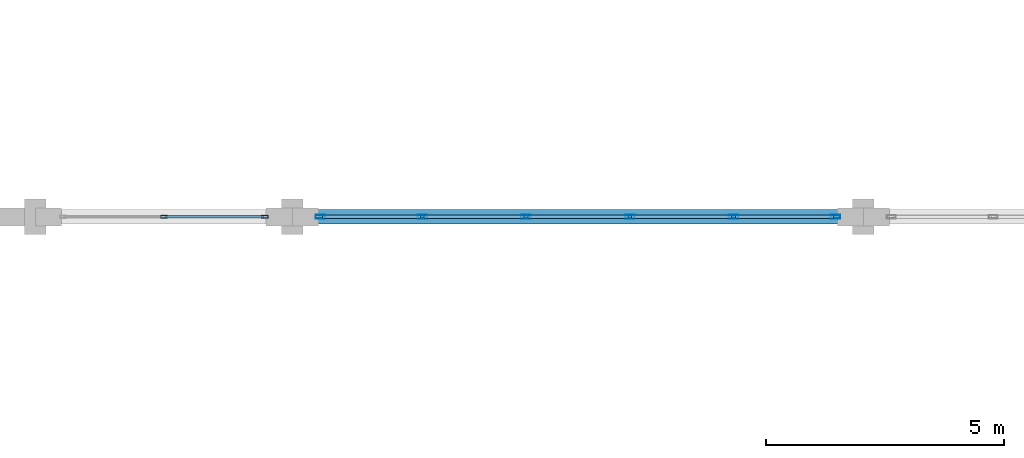
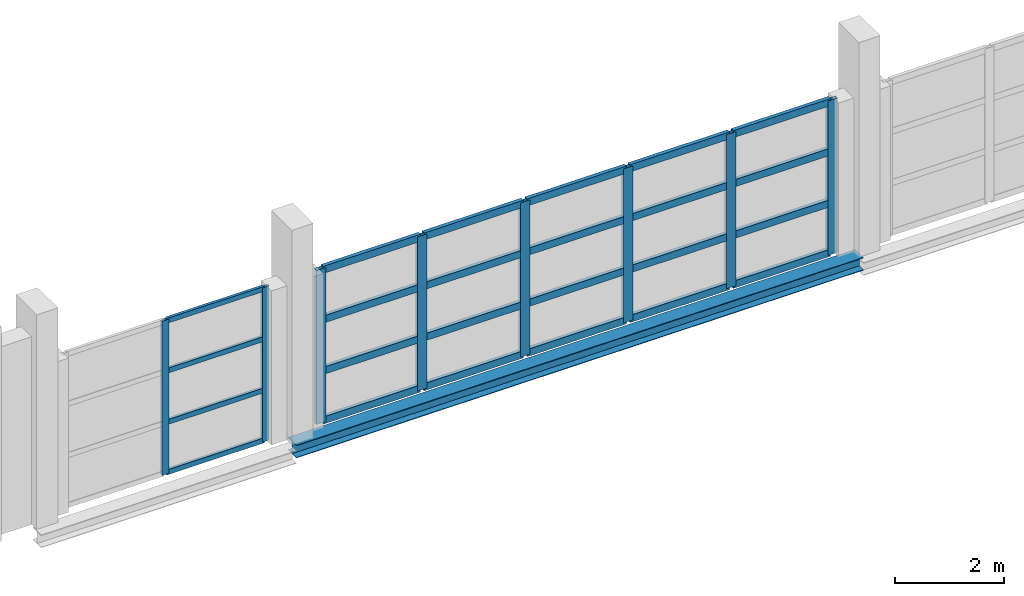
# One storey, part 28 of 86: 32 members, 1 beam, 2 elements without a shape of their own.
"""IFC4 building model written with IfcOpenShell, lengths in metres."""

from ifc_helpers import new_model, si_unit, direction, frame, origin, origin_2d, place, context, subcontext, project, spatial, hollow_rectangle, i_section, extrude, material, layer, layer_set, material_profile, profile_set, type_object, element, aggregate, save


model = new_model("IFC4")

# Units and contexts
model_context = context("Model", 3, precision=1e-05, world=origin(), true_north=direction((0.0, 1.0)))
body_context = subcontext(model_context, "Body", "Model", "MODEL_VIEW")
ifc_project = project(units=[si_unit("LENGTHUNIT", "METRE"), si_unit("AREAUNIT", "SQUARE_METRE"), si_unit("VOLUMEUNIT", "CUBIC_METRE"), si_unit("PLANEANGLEUNIT", "RADIAN"), si_unit("MASSUNIT", "GRAM", prefix="KILO")], contexts=[model_context])

# Site, building, storey
site_placement = place(None, origin())
site = spatial("IfcSite", under=ifc_project, at=site_placement, CompositionType="ELEMENT")
building_placement = place(site_placement, origin())
building = spatial("IfcBuilding", under=site, at=building_placement, Name="Zilviju Railside Exhibition Hall", CompositionType="ELEMENT")
storey_placement = place(building_placement, frame((0.0, 0.0, 12.60009765625)))
storey = spatial("IfcBuildingStorey", under=building, at=storey_placement, Name="L04", CompositionType="ELEMENT", Elevation=12.60009765625)

# Beam
ifc_material_1 = material(Name="Steel S355J2", Category="steel")
ifc_material_profile_1 = material_profile(ifc_material_1, i_section(OverallWidth=0.300048828125, OverallDepth=0.2900390625, WebThickness=0.008544921875, FlangeThickness=0.013916015625, at=origin_2d()), Name="HEA 300")
ifc_profile_set_1 = profile_set([ifc_material_profile_1], Name="Steel S355J2")
beam_type = type_object("IfcBeamType", Name="BM-HEA300", PredefinedType="SPANDREL", material=ifc_profile_set_1)
beam_placement = place(storey_placement, frame((132.0, 84.0, -0.364990234375), z_axis=(1.0, 0.0, 0.0), x_axis=(0.0, 1.0, 0.0)))
element("IfcBeam", 1, at=beam_placement, inside=storey, type_object=beam_type, Name="Primary Girder L04 Y=84.0 (132.0..144.0)", PredefinedType="SPANDREL", context=body_context, shape_type="SweptSolid", body=[
    extrude(i_section(OverallWidth=0.300048828125, OverallDepth=0.2900390625, WebThickness=0.008544921875, FlangeThickness=0.013916015625, at=origin_2d()), origin(), (0.0, 0.0, 1.0), 12.0),
])

# Curtain wall, members
ifc_material_2 = material(Name="Thermally broken aluminium-steel triple-glazed curtain wall", Category="steel")
ifc_layer_1 = layer(ifc_material_2, 0.179931640625)
ifc_layer_set_1 = layer_set([ifc_layer_1], Name="Thermally broken aluminium-steel triple-glazed curtain wall")
curtain_wall_type_1 = type_object("IfcCurtainWallType", Name="CW-BAY-13", PredefinedType="USERDEFINED", material=ifc_layer_set_1)
curtain_wall_1_placement = place(storey_placement, origin())
curtain_wall_1 = element("IfcCurtainWall", 2, at=curtain_wall_1_placement, inside=storey, type_object=curtain_wall_type_1, Name="North Hall Garden Court Curtain Wall L04 (127..132)", ObjectType="GLAZED CURTAIN WALL", PredefinedType="USERDEFINED")
ifc_material_3 = material(Name="Thermally broken anodized aluminium mullion", Category="aluminium")
ifc_material_profile_2 = material_profile(ifc_material_3, hollow_rectangle(XDim=0.06005859375, YDim=0.139892578125, WallThickness=0.0048828125, at=origin_2d()), Name="MULLION 140x60x5")
ifc_profile_set_2 = profile_set([ifc_material_profile_2], Name="Thermally broken anodized aluminium mullion")
member_type_1 = type_object("IfcMemberType", Name="CWM-60x140", PredefinedType="MULLION", material=ifc_profile_set_2)
member_1_placement = place(storey_placement, frame((131.419921875, 84.0, 0.0), z_axis=(0.0, 0.0, 1.0), x_axis=(0.0, -1.0, 0.0)))
member_1 = element("IfcMember", 3, at=member_1_placement, type_object=member_type_1, Name="CW-13 mullion 1", PredefinedType="MULLION", context=body_context, shape_type="SweptSolid", body=[
    extrude(hollow_rectangle(XDim=0.06005859375, YDim=0.139892578125, WallThickness=0.0048828125, at=origin_2d()), origin(), (0.0, 0.0, 1.0), 3.449951171875),
])
member_2_placement = place(storey_placement, frame((129.300048828125, 84.0, 0.0), z_axis=(0.0, 0.0, 1.0), x_axis=(0.0, -1.0, 0.0)))
member_2 = element("IfcMember", 4, at=member_2_placement, type_object=member_type_1, Name="CW-13 mullion 2", PredefinedType="MULLION", context=body_context, shape_type="SweptSolid", body=[
    extrude(hollow_rectangle(XDim=0.06005859375, YDim=0.139892578125, WallThickness=0.0048828125, at=origin_2d()), origin(), (0.0, 0.0, 1.0), 3.449951171875),
])

ifc_layer_2 = layer(ifc_material_2, 0.179931640625)
ifc_layer_set_2 = layer_set([ifc_layer_2], Name="Thermally broken aluminium-steel triple-glazed curtain wall")
curtain_wall_type_2 = type_object("IfcCurtainWallType", Name="CW-BAY-14", PredefinedType="USERDEFINED", material=ifc_layer_set_2)
curtain_wall_2_placement = place(storey_placement, origin())
curtain_wall_2 = element("IfcCurtainWall", 5, at=curtain_wall_2_placement, inside=storey, type_object=curtain_wall_type_2, Name="North Hall Garden Court Curtain Wall L04 (132..144)", ObjectType="GLAZED CURTAIN WALL", PredefinedType="USERDEFINED")
ifc_material_profile_3 = material_profile(ifc_material_3, hollow_rectangle(XDim=0.080078125, YDim=0.199951171875, WallThickness=0.0048828125, at=origin_2d()), Name="MULLION 200x80x5")
ifc_profile_set_3 = profile_set([ifc_material_profile_3], Name="Thermally broken anodized aluminium mullion")
member_type_2 = type_object("IfcMemberType", Name="CWM-80x200", PredefinedType="MULLION", material=ifc_profile_set_3)
member_3_placement = place(storey_placement, frame((143.409912109375, 84.0, 0.0), z_axis=(0.0, 0.0, 1.0), x_axis=(0.0, -1.0, 0.0)))
member_3 = element("IfcMember", 6, at=member_3_placement, type_object=member_type_2, Name="CW-14 mullion 1", PredefinedType="MULLION", context=body_context, shape_type="SweptSolid", body=[
    extrude(hollow_rectangle(XDim=0.080078125, YDim=0.199951171875, WallThickness=0.0048828125, at=origin_2d()), origin(), (0.0, 0.0, 1.0), 3.449951171875),
])
member_4_placement = place(storey_placement, frame((141.27001953125, 84.0, 0.0), z_axis=(0.0, 0.0, 1.0), x_axis=(0.0, -1.0, 0.0)))
member_4 = element("IfcMember", 7, at=member_4_placement, type_object=member_type_2, Name="CW-14 mullion 2", PredefinedType="MULLION", context=body_context, shape_type="SweptSolid", body=[
    extrude(hollow_rectangle(XDim=0.080078125, YDim=0.199951171875, WallThickness=0.0048828125, at=origin_2d()), origin(), (0.0, 0.0, 1.0), 3.449951171875),
])
member_5_placement = place(storey_placement, frame((139.090087890625, 84.0, 0.0), z_axis=(0.0, 0.0, 1.0), x_axis=(0.0, -1.0, 0.0)))
member_5 = element("IfcMember", 8, at=member_5_placement, type_object=member_type_2, Name="CW-14 mullion 3", PredefinedType="MULLION", context=body_context, shape_type="SweptSolid", body=[
    extrude(hollow_rectangle(XDim=0.080078125, YDim=0.199951171875, WallThickness=0.0048828125, at=origin_2d()), origin(), (0.0, 0.0, 1.0), 3.449951171875),
])
member_6_placement = place(storey_placement, frame((136.909912109375, 84.0, 0.0), z_axis=(0.0, 0.0, 1.0), x_axis=(0.0, -1.0, 0.0)))
member_6 = element("IfcMember", 9, at=member_6_placement, type_object=member_type_2, Name="CW-14 mullion 4", PredefinedType="MULLION", context=body_context, shape_type="SweptSolid", body=[
    extrude(hollow_rectangle(XDim=0.080078125, YDim=0.199951171875, WallThickness=0.0048828125, at=origin_2d()), origin(), (0.0, 0.0, 1.0), 3.449951171875),
])
member_7_placement = place(storey_placement, frame((134.72998046875, 84.0, 0.0), z_axis=(0.0, 0.0, 1.0), x_axis=(0.0, -1.0, 0.0)))
member_7 = element("IfcMember", 10, at=member_7_placement, type_object=member_type_2, Name="CW-14 mullion 5", PredefinedType="MULLION", context=body_context, shape_type="SweptSolid", body=[
    extrude(hollow_rectangle(XDim=0.080078125, YDim=0.199951171875, WallThickness=0.0048828125, at=origin_2d()), origin(), (0.0, 0.0, 1.0), 3.449951171875),
])
member_8_placement = place(storey_placement, frame((132.590087890625, 84.0, 0.0), z_axis=(0.0, 0.0, 1.0), x_axis=(0.0, -1.0, 0.0)))
member_8 = element("IfcMember", 11, at=member_8_placement, type_object=member_type_2, Name="CW-14 mullion 6", PredefinedType="MULLION", context=body_context, shape_type="SweptSolid", body=[
    extrude(hollow_rectangle(XDim=0.080078125, YDim=0.199951171875, WallThickness=0.0048828125, at=origin_2d()), origin(), (0.0, 0.0, 1.0), 3.449951171875),
])

# Member
ifc_material_4 = material(Name="Thermally broken anodized aluminium transom", Category="aluminium")
ifc_material_profile_4 = material_profile(ifc_material_4, hollow_rectangle(XDim=0.06005859375, YDim=0.110107421875, WallThickness=0.0048828125, at=origin_2d()), Name="TRANSOM 110x60x5")
ifc_profile_set_4 = profile_set([ifc_material_profile_4], Name="Thermally broken anodized aluminium transom")
member_type_3 = type_object("IfcMemberType", Name="CWT-60x110", PredefinedType="USERDEFINED", material=ifc_profile_set_4)
member_9_placement = place(storey_placement, frame((131.389892578125, 84.0, 0.02978515625), z_axis=(-1.0, 0.0, 0.0), x_axis=(0.0, -1.0, 0.0)))
member_9 = element("IfcMember", 12, at=member_9_placement, type_object=member_type_3, Name="CW-13 transom 1.1", ObjectType="TRANSOM", PredefinedType="USERDEFINED", context=body_context, shape_type="SweptSolid", body=[
    extrude(hollow_rectangle(XDim=0.06005859375, YDim=0.110107421875, WallThickness=0.0048828125, at=origin_2d()), origin(), (0.0, 0.0, 1.0), 2.059814453125),
])

member_10_placement = place(storey_placement, frame((131.389892578125, 84.0, 1.14990234375), z_axis=(-1.0, 0.0, 0.0), x_axis=(0.0, -1.0, 0.0)))
member_10 = element("IfcMember", 13, at=member_10_placement, type_object=member_type_3, Name="CW-13 transom 1.2", ObjectType="TRANSOM", PredefinedType="USERDEFINED", context=body_context, shape_type="SweptSolid", body=[
    extrude(hollow_rectangle(XDim=0.06005859375, YDim=0.110107421875, WallThickness=0.0048828125, at=origin_2d()), origin(), (0.0, 0.0, 1.0), 2.059814453125),
])

member_11_placement = place(storey_placement, frame((131.389892578125, 84.0, 2.2998046875), z_axis=(-1.0, 0.0, 0.0), x_axis=(0.0, -1.0, 0.0)))
member_11 = element("IfcMember", 14, at=member_11_placement, type_object=member_type_3, Name="CW-13 transom 1.3", ObjectType="TRANSOM", PredefinedType="USERDEFINED", context=body_context, shape_type="SweptSolid", body=[
    extrude(hollow_rectangle(XDim=0.06005859375, YDim=0.110107421875, WallThickness=0.0048828125, at=origin_2d()), origin(), (0.0, 0.0, 1.0), 2.059814453125),
])

member_12_placement = place(storey_placement, frame((131.389892578125, 84.0, 3.419921875), z_axis=(-1.0, 0.0, 0.0), x_axis=(0.0, -1.0, 0.0)))
member_12 = element("IfcMember", 15, at=member_12_placement, type_object=member_type_3, Name="CW-13 transom 1.4", ObjectType="TRANSOM", PredefinedType="USERDEFINED", context=body_context, shape_type="SweptSolid", body=[
    extrude(hollow_rectangle(XDim=0.06005859375, YDim=0.110107421875, WallThickness=0.0048828125, at=origin_2d()), origin(), (0.0, 0.0, 1.0), 2.059814453125),
])

aggregate(curtain_wall_1, [member_1, member_2, member_9, member_10, member_11, member_12])

ifc_material_profile_5 = material_profile(ifc_material_4, hollow_rectangle(XDim=0.080078125, YDim=0.159912109375, WallThickness=0.0048828125, at=origin_2d()), Name="TRANSOM 160x80x5")
ifc_profile_set_5 = profile_set([ifc_material_profile_5], Name="Thermally broken anodized aluminium transom")
member_type_4 = type_object("IfcMemberType", Name="CWT-80x160", PredefinedType="USERDEFINED", material=ifc_profile_set_5)
member_13_placement = place(storey_placement, frame((143.3701171875, 84.0, 0.039794921875), z_axis=(-1.0, 0.0, 0.0), x_axis=(0.0, -1.0, 0.0)))
member_13 = element("IfcMember", 16, at=member_13_placement, type_object=member_type_4, Name="CW-14 transom 1.1", ObjectType="TRANSOM", PredefinedType="USERDEFINED", context=body_context, shape_type="SweptSolid", body=[
    extrude(hollow_rectangle(XDim=0.080078125, YDim=0.159912109375, WallThickness=0.0048828125, at=origin_2d()), origin(), (0.0, 0.0, 1.0), 2.06005859375),
])

member_14_placement = place(storey_placement, frame((143.3701171875, 84.0, 1.14990234375), z_axis=(-1.0, 0.0, 0.0), x_axis=(0.0, -1.0, 0.0)))
member_14 = element("IfcMember", 17, at=member_14_placement, type_object=member_type_4, Name="CW-14 transom 1.2", ObjectType="TRANSOM", PredefinedType="USERDEFINED", context=body_context, shape_type="SweptSolid", body=[
    extrude(hollow_rectangle(XDim=0.080078125, YDim=0.159912109375, WallThickness=0.0048828125, at=origin_2d()), origin(), (0.0, 0.0, 1.0), 2.06005859375),
])

member_15_placement = place(storey_placement, frame((143.3701171875, 84.0, 2.2998046875), z_axis=(-1.0, 0.0, 0.0), x_axis=(0.0, -1.0, 0.0)))
member_15 = element("IfcMember", 18, at=member_15_placement, type_object=member_type_4, Name="CW-14 transom 1.3", ObjectType="TRANSOM", PredefinedType="USERDEFINED", context=body_context, shape_type="SweptSolid", body=[
    extrude(hollow_rectangle(XDim=0.080078125, YDim=0.159912109375, WallThickness=0.0048828125, at=origin_2d()), origin(), (0.0, 0.0, 1.0), 2.06005859375),
])

member_16_placement = place(storey_placement, frame((143.3701171875, 84.0, 3.409912109375), z_axis=(-1.0, 0.0, 0.0), x_axis=(0.0, -1.0, 0.0)))
member_16 = element("IfcMember", 19, at=member_16_placement, type_object=member_type_4, Name="CW-14 transom 1.4", ObjectType="TRANSOM", PredefinedType="USERDEFINED", context=body_context, shape_type="SweptSolid", body=[
    extrude(hollow_rectangle(XDim=0.080078125, YDim=0.159912109375, WallThickness=0.0048828125, at=origin_2d()), origin(), (0.0, 0.0, 1.0), 2.06005859375),
])

member_17_placement = place(storey_placement, frame((141.22998046875, 84.0, 0.039794921875), z_axis=(-1.0, 0.0, 0.0), x_axis=(0.0, -1.0, 0.0)))
member_17 = element("IfcMember", 20, at=member_17_placement, type_object=member_type_4, Name="CW-14 transom 2.1", ObjectType="TRANSOM", PredefinedType="USERDEFINED", context=body_context, shape_type="SweptSolid", body=[
    extrude(hollow_rectangle(XDim=0.080078125, YDim=0.159912109375, WallThickness=0.0048828125, at=origin_2d()), origin(), (0.0, 0.0, 1.0), 2.10009765625),
])

member_18_placement = place(storey_placement, frame((141.22998046875, 84.0, 1.14990234375), z_axis=(-1.0, 0.0, 0.0), x_axis=(0.0, -1.0, 0.0)))
member_18 = element("IfcMember", 21, at=member_18_placement, type_object=member_type_4, Name="CW-14 transom 2.2", ObjectType="TRANSOM", PredefinedType="USERDEFINED", context=body_context, shape_type="SweptSolid", body=[
    extrude(hollow_rectangle(XDim=0.080078125, YDim=0.159912109375, WallThickness=0.0048828125, at=origin_2d()), origin(), (0.0, 0.0, 1.0), 2.10009765625),
])

member_19_placement = place(storey_placement, frame((141.22998046875, 84.0, 2.2998046875), z_axis=(-1.0, 0.0, 0.0), x_axis=(0.0, -1.0, 0.0)))
member_19 = element("IfcMember", 22, at=member_19_placement, type_object=member_type_4, Name="CW-14 transom 2.3", ObjectType="TRANSOM", PredefinedType="USERDEFINED", context=body_context, shape_type="SweptSolid", body=[
    extrude(hollow_rectangle(XDim=0.080078125, YDim=0.159912109375, WallThickness=0.0048828125, at=origin_2d()), origin(), (0.0, 0.0, 1.0), 2.10009765625),
])

member_20_placement = place(storey_placement, frame((141.22998046875, 84.0, 3.409912109375), z_axis=(-1.0, 0.0, 0.0), x_axis=(0.0, -1.0, 0.0)))
member_20 = element("IfcMember", 23, at=member_20_placement, type_object=member_type_4, Name="CW-14 transom 2.4", ObjectType="TRANSOM", PredefinedType="USERDEFINED", context=body_context, shape_type="SweptSolid", body=[
    extrude(hollow_rectangle(XDim=0.080078125, YDim=0.159912109375, WallThickness=0.0048828125, at=origin_2d()), origin(), (0.0, 0.0, 1.0), 2.10009765625),
])

member_21_placement = place(storey_placement, frame((139.050048828125, 84.0, 0.039794921875), z_axis=(-1.0, 0.0, 0.0), x_axis=(0.0, -1.0, 0.0)))
member_21 = element("IfcMember", 24, at=member_21_placement, type_object=member_type_4, Name="CW-14 transom 3.1", ObjectType="TRANSOM", PredefinedType="USERDEFINED", context=body_context, shape_type="SweptSolid", body=[
    extrude(hollow_rectangle(XDim=0.080078125, YDim=0.159912109375, WallThickness=0.0048828125, at=origin_2d()), origin(), (0.0, 0.0, 1.0), 2.10009765625),
])

member_22_placement = place(storey_placement, frame((139.050048828125, 84.0, 1.14990234375), z_axis=(-1.0, 0.0, 0.0), x_axis=(0.0, -1.0, 0.0)))
member_22 = element("IfcMember", 25, at=member_22_placement, type_object=member_type_4, Name="CW-14 transom 3.2", ObjectType="TRANSOM", PredefinedType="USERDEFINED", context=body_context, shape_type="SweptSolid", body=[
    extrude(hollow_rectangle(XDim=0.080078125, YDim=0.159912109375, WallThickness=0.0048828125, at=origin_2d()), origin(), (0.0, 0.0, 1.0), 2.10009765625),
])

member_23_placement = place(storey_placement, frame((139.050048828125, 84.0, 2.2998046875), z_axis=(-1.0, 0.0, 0.0), x_axis=(0.0, -1.0, 0.0)))
member_23 = element("IfcMember", 26, at=member_23_placement, type_object=member_type_4, Name="CW-14 transom 3.3", ObjectType="TRANSOM", PredefinedType="USERDEFINED", context=body_context, shape_type="SweptSolid", body=[
    extrude(hollow_rectangle(XDim=0.080078125, YDim=0.159912109375, WallThickness=0.0048828125, at=origin_2d()), origin(), (0.0, 0.0, 1.0), 2.10009765625),
])

member_24_placement = place(storey_placement, frame((139.050048828125, 84.0, 3.409912109375), z_axis=(-1.0, 0.0, 0.0), x_axis=(0.0, -1.0, 0.0)))
member_24 = element("IfcMember", 27, at=member_24_placement, type_object=member_type_4, Name="CW-14 transom 3.4", ObjectType="TRANSOM", PredefinedType="USERDEFINED", context=body_context, shape_type="SweptSolid", body=[
    extrude(hollow_rectangle(XDim=0.080078125, YDim=0.159912109375, WallThickness=0.0048828125, at=origin_2d()), origin(), (0.0, 0.0, 1.0), 2.10009765625),
])

member_25_placement = place(storey_placement, frame((136.8701171875, 84.0, 0.039794921875), z_axis=(-1.0, 0.0, 0.0), x_axis=(0.0, -1.0, 0.0)))
member_25 = element("IfcMember", 28, at=member_25_placement, type_object=member_type_4, Name="CW-14 transom 4.1", ObjectType="TRANSOM", PredefinedType="USERDEFINED", context=body_context, shape_type="SweptSolid", body=[
    extrude(hollow_rectangle(XDim=0.080078125, YDim=0.159912109375, WallThickness=0.0048828125, at=origin_2d()), origin(), (0.0, 0.0, 1.0), 2.10009765625),
])

member_26_placement = place(storey_placement, frame((136.8701171875, 84.0, 1.14990234375), z_axis=(-1.0, 0.0, 0.0), x_axis=(0.0, -1.0, 0.0)))
member_26 = element("IfcMember", 29, at=member_26_placement, type_object=member_type_4, Name="CW-14 transom 4.2", ObjectType="TRANSOM", PredefinedType="USERDEFINED", context=body_context, shape_type="SweptSolid", body=[
    extrude(hollow_rectangle(XDim=0.080078125, YDim=0.159912109375, WallThickness=0.0048828125, at=origin_2d()), origin(), (0.0, 0.0, 1.0), 2.10009765625),
])

member_27_placement = place(storey_placement, frame((136.8701171875, 84.0, 2.2998046875), z_axis=(-1.0, 0.0, 0.0), x_axis=(0.0, -1.0, 0.0)))
member_27 = element("IfcMember", 30, at=member_27_placement, type_object=member_type_4, Name="CW-14 transom 4.3", ObjectType="TRANSOM", PredefinedType="USERDEFINED", context=body_context, shape_type="SweptSolid", body=[
    extrude(hollow_rectangle(XDim=0.080078125, YDim=0.159912109375, WallThickness=0.0048828125, at=origin_2d()), origin(), (0.0, 0.0, 1.0), 2.10009765625),
])

member_28_placement = place(storey_placement, frame((136.8701171875, 84.0, 3.409912109375), z_axis=(-1.0, 0.0, 0.0), x_axis=(0.0, -1.0, 0.0)))
member_28 = element("IfcMember", 31, at=member_28_placement, type_object=member_type_4, Name="CW-14 transom 4.4", ObjectType="TRANSOM", PredefinedType="USERDEFINED", context=body_context, shape_type="SweptSolid", body=[
    extrude(hollow_rectangle(XDim=0.080078125, YDim=0.159912109375, WallThickness=0.0048828125, at=origin_2d()), origin(), (0.0, 0.0, 1.0), 2.10009765625),
])

member_29_placement = place(storey_placement, frame((134.68994140625, 84.0, 0.039794921875), z_axis=(-1.0, 0.0, 0.0), x_axis=(0.0, -1.0, 0.0)))
member_29 = element("IfcMember", 32, at=member_29_placement, type_object=member_type_4, Name="CW-14 transom 5.1", ObjectType="TRANSOM", PredefinedType="USERDEFINED", context=body_context, shape_type="SweptSolid", body=[
    extrude(hollow_rectangle(XDim=0.080078125, YDim=0.159912109375, WallThickness=0.0048828125, at=origin_2d()), origin(), (0.0, 0.0, 1.0), 2.06005859375),
])

member_30_placement = place(storey_placement, frame((134.68994140625, 84.0, 1.14990234375), z_axis=(-1.0, 0.0, 0.0), x_axis=(0.0, -1.0, 0.0)))
member_30 = element("IfcMember", 33, at=member_30_placement, type_object=member_type_4, Name="CW-14 transom 5.2", ObjectType="TRANSOM", PredefinedType="USERDEFINED", context=body_context, shape_type="SweptSolid", body=[
    extrude(hollow_rectangle(XDim=0.080078125, YDim=0.159912109375, WallThickness=0.0048828125, at=origin_2d()), origin(), (0.0, 0.0, 1.0), 2.06005859375),
])

member_31_placement = place(storey_placement, frame((134.68994140625, 84.0, 2.2998046875), z_axis=(-1.0, 0.0, 0.0), x_axis=(0.0, -1.0, 0.0)))
member_31 = element("IfcMember", 34, at=member_31_placement, type_object=member_type_4, Name="CW-14 transom 5.3", ObjectType="TRANSOM", PredefinedType="USERDEFINED", context=body_context, shape_type="SweptSolid", body=[
    extrude(hollow_rectangle(XDim=0.080078125, YDim=0.159912109375, WallThickness=0.0048828125, at=origin_2d()), origin(), (0.0, 0.0, 1.0), 2.06005859375),
])

member_32_placement = place(storey_placement, frame((134.68994140625, 84.0, 3.409912109375), z_axis=(-1.0, 0.0, 0.0), x_axis=(0.0, -1.0, 0.0)))
member_32 = element("IfcMember", 35, at=member_32_placement, type_object=member_type_4, Name="CW-14 transom 5.4", ObjectType="TRANSOM", PredefinedType="USERDEFINED", context=body_context, shape_type="SweptSolid", body=[
    extrude(hollow_rectangle(XDim=0.080078125, YDim=0.159912109375, WallThickness=0.0048828125, at=origin_2d()), origin(), (0.0, 0.0, 1.0), 2.06005859375),
])

aggregate(curtain_wall_2, [member_3, member_4, member_5, member_6, member_7, member_8, member_13, member_14, member_15, member_16, member_17, member_18, member_19, member_20, member_21, member_22, member_23, member_24, member_25, member_26, member_27, member_28, member_29, member_30, member_31, member_32])

save(model, "model.ifc")
